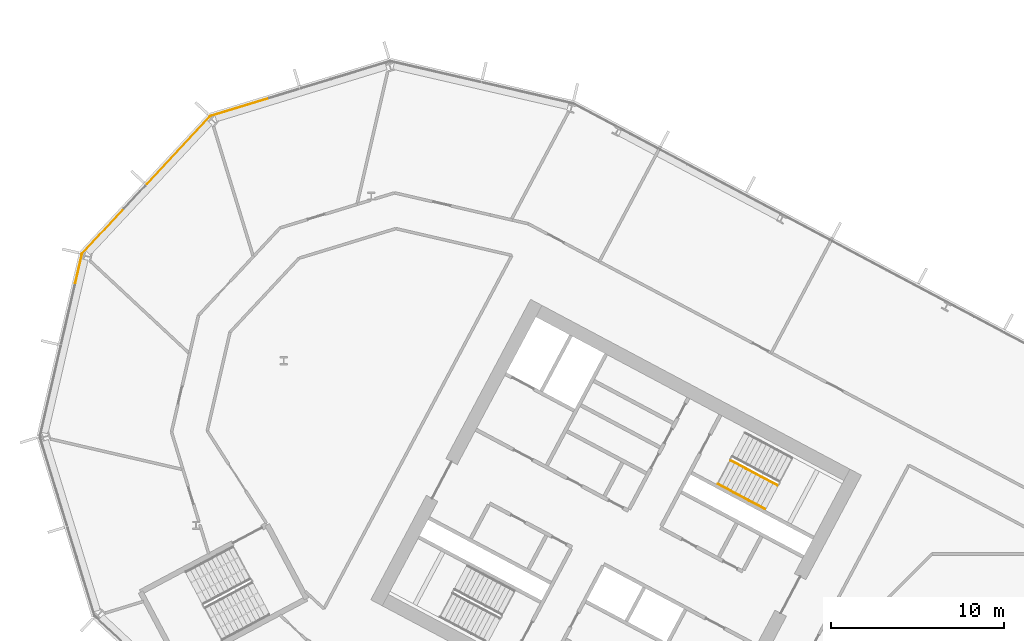
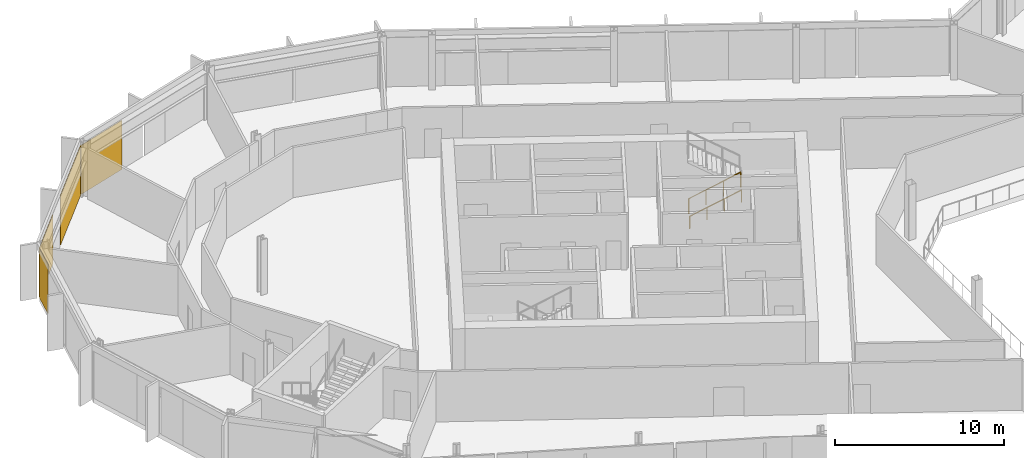
# One storey, part 22 of 28: 4 coverings, 2 railings, 3 elements without a shape of their own.
"""IFC4 building model written with IfcOpenShell, lengths in metres."""

from ifc_helpers import new_model, si_unit, direction, frame, origin, origin_2d, place, context, subcontext, project, spatial, polyline, rectangle, outline, extrude, material, layer, layer_set, type_object, element, aggregate, save


model = new_model("IFC4")

# Units and contexts
model_context = context("Model", 3, precision=1e-05, world=origin(), true_north=direction((0.0, 1.0)))
body_context = subcontext(model_context, "Body", "Model", "MODEL_VIEW")
ifc_project = project(units=[si_unit("LENGTHUNIT", "METRE"), si_unit("AREAUNIT", "SQUARE_METRE"), si_unit("VOLUMEUNIT", "CUBIC_METRE"), si_unit("PLANEANGLEUNIT", "RADIAN"), si_unit("MASSUNIT", "GRAM", prefix="KILO")], contexts=[model_context])

# Site, building, storey
site_placement = place(None, origin())
site = spatial("IfcSite", under=ifc_project, at=site_placement, CompositionType="ELEMENT")
building_placement = place(site_placement, origin())
building = spatial("IfcBuilding", under=site, at=building_placement, Name="Cormorant Relay Tower", CompositionType="ELEMENT")
storey_placement = place(building_placement, frame((0.0, 0.0, 170.199951171875)))
storey = spatial("IfcBuildingStorey", under=building, at=storey_placement, Name="L36", CompositionType="ELEMENT", Elevation=170.199951171875)

# Curtain wall, covering
ifc_material_1 = material(Name="Aluminium 6063-T6 anodised bronze", Category="aluminium")
ifc_layer_1 = layer(ifc_material_1, 0.199951171875)
ifc_layer_set_1 = layer_set([ifc_layer_1], Name="CW1 unitised bronze curtain wall with vertical fins")
curtain_wall_type = type_object("IfcCurtainWallType", Name="CW1 unitised bronze curtain wall with vertical fins", PredefinedType="NOTDEFINED", material=ifc_layer_set_1)
curtain_wall_1_placement = place(storey_placement, origin())
curtain_wall_1 = element("IfcCurtainWall", 1, at=curtain_wall_1_placement, inside=storey, type_object=curtain_wall_type, Name="CW1 curtain wall 11", PredefinedType="NOTDEFINED")
ifc_material_2 = material(Name="Pale bronze anodised aluminium insulated panel", Category="aluminium")
ifc_layer_2 = layer(ifc_material_2, 0.0400390625)
ifc_layer_set_2 = layer_set([ifc_layer_2], Name="CW1 pale bronze insulated panel 40")
covering_type = type_object("IfcCoveringType", Name="CW1 pale bronze insulated panel 40", PredefinedType="CLADDING", material=ifc_layer_set_2)
covering_1_placement = place(storey_placement, frame((-49.16455078125, 39.474853515625, 0.0), z_axis=(0.0, 0.0, 1.0), x_axis=(-0.956304755963, -0.292371704723, 0.0)))
covering_1 = element("IfcCovering", 2, at=covering_1_placement, type_object=covering_type, Name="CW1 panel S03", PredefinedType="CLADDING", context=body_context, shape_type="SweptSolid", body=[
    extrude(rectangle(XDim=3.560302734375, YDim=0.0400390625, at=origin_2d()), origin(), (0.0, 0.0, 1.0), 3.550048828125),
])
aggregate(curtain_wall_1, [covering_1])

# Curtain wall, coverings
curtain_wall_2_placement = place(storey_placement, origin())
curtain_wall_2 = element("IfcCurtainWall", 3, at=curtain_wall_2_placement, inside=storey, type_object=curtain_wall_type, Name="CW1 curtain wall 12", PredefinedType="NOTDEFINED")
covering_2_placement = place(storey_placement, frame((-52.72900390625, 36.961181640625, 0.0), z_axis=(0.0, 0.0, 1.0), x_axis=(-0.681998360062, -0.731353701619, 0.0)))
covering_2 = element("IfcCovering", 4, at=covering_2_placement, type_object=covering_type, Name="CW1 panel S00", PredefinedType="CLADDING", context=body_context, shape_type="SweptSolid", body=[
    extrude(rectangle(XDim=5.28515625, YDim=0.0400390625, at=origin_2d()), origin(), (0.0, 0.0, 1.0), 3.550048828125),
])
covering_3_placement = place(storey_placement, frame((-57.0751953125, 32.300537109375, 0.0), z_axis=(0.0, 0.0, 1.0), x_axis=(-0.681998360062, -0.731353701619, 0.0)))
covering_3 = element("IfcCovering", 5, at=covering_3_placement, type_object=covering_type, Name="CW1 panel S02", PredefinedType="CLADDING", context=body_context, shape_type="SweptSolid", body=[
    extrude(rectangle(XDim=3.560302734375, YDim=0.0400390625, at=origin_2d()), origin(), (0.0, 0.0, 1.0), 3.550048828125),
])
aggregate(curtain_wall_2, [covering_2, covering_3])

# Curtain wall, covering
curtain_wall_3_placement = place(storey_placement, origin())
curtain_wall_3 = element("IfcCurtainWall", 6, at=curtain_wall_3_placement, inside=storey, type_object=curtain_wall_type, Name="CW1 curtain wall 13", PredefinedType="NOTDEFINED")
covering_4_placement = place(storey_placement, frame((-58.50048828125, 30.095458984375, 0.0), z_axis=(0.0, 0.0, 1.0), x_axis=(-0.224951054344, -0.974370064785, 0.0)))
covering_4 = element("IfcCovering", 7, at=covering_4_placement, type_object=covering_type, Name="CW1 panel S00", PredefinedType="CLADDING", context=body_context, shape_type="SweptSolid", body=[
    extrude(rectangle(XDim=1.685302734375, YDim=0.0400390625, at=origin_2d()), origin(), (0.0, 0.0, 1.0), 3.550048828125),
])
aggregate(curtain_wall_3, [covering_4])

# Railings
ifc_material_3 = material(Name="Steel ASTM A572 Grade 50 (Fy 345 MPa)", Category="steel")
railing_type_1 = type_object("IfcRailingType", Name="Stair guard 1100", PredefinedType="GUARDRAIL", material=ifc_material_3)
railing_1_placement = place(storey_placement, frame((-20.75048828125, 19.017822265625, 0.166748046875)))
element("IfcRailing", 8, at=railing_1_placement, inside=storey, type_object=railing_type_1, Name="L36 A1 stair guard 1", PredefinedType="GUARDRAIL", context=body_context, shape_type="SweptSolid", body=[
    extrude(outline(polyline([(0.022216796875, 0.00927734375), (0.00927734375, 0.022216796875), (-0.00927734375, 0.022216796875), (-0.022216796875, 0.00927734375), (-0.022216796875, -0.00927734375), (-0.00927734375, -0.022216796875), (0.00927734375, -0.022216796875), (0.022216796875, -0.00927734375), (0.022216796875, 0.00927734375)])), frame((0.0, 0.0, 1.076171875), z_axis=(0.758734504837, -0.403377838015, 0.511476559549), x_axis=(0.469427602063, 0.882970965786, 0.0)), (0.0, 0.0, 1.0), 3.584228515625),
    extrude(outline(polyline([(0.019287109375, 0.008056640625), (0.008056640625, 0.019287109375), (-0.008056640625, 0.019287109375), (-0.019287109375, 0.008056640625), (-0.019287109375, -0.008056640625), (-0.008056640625, -0.019287109375), (0.008056640625, -0.019287109375), (0.019287109375, -0.008056640625), (0.019287109375, 0.008056640625)])), origin(), (0.0, 0.0, 1.0), 1.052001953125),
    extrude(outline(polyline([(0.019287109375, 0.008056640625), (0.008056640625, 0.019287109375), (-0.008056640625, 0.019287109375), (-0.019287109375, 0.008056640625), (-0.019287109375, -0.008056640625), (-0.008056640625, -0.019287109375), (0.008056640625, -0.019287109375), (0.019287109375, -0.008056640625), (0.019287109375, 0.008056640625)])), frame((0.906494140625, -0.48193359375, 0.611083984375)), (0.0, 0.0, 1.0), 1.052001953125),
    extrude(outline(polyline([(0.019287109375, 0.008056640625), (0.008056640625, 0.019287109375), (-0.008056640625, 0.019287109375), (-0.019287109375, 0.008056640625), (-0.019287109375, -0.008056640625), (-0.008056640625, -0.019287109375), (0.008056640625, -0.019287109375), (0.019287109375, -0.008056640625), (0.019287109375, 0.008056640625)])), frame((1.81298828125, -0.9638671875, 1.22216796875)), (0.0, 0.0, 1.0), 1.052001953125),
    extrude(outline(polyline([(0.019287109375, 0.008056640625), (0.008056640625, 0.019287109375), (-0.008056640625, 0.019287109375), (-0.019287109375, 0.008056640625), (-0.019287109375, -0.008056640625), (-0.008056640625, -0.019287109375), (0.008056640625, -0.019287109375), (0.019287109375, -0.008056640625), (0.019287109375, 0.008056640625)])), frame((2.719482421875, -1.44580078125, 1.833251953125)), (0.0, 0.0, 1.0), 1.052001953125),
])
ifc_material_4 = material(Name="Steel ASTM A572 Grade 50 (Fy 345 MPa)", Category="steel")
railing_type_2 = type_object("IfcRailingType", Name="Stair handrail 900", PredefinedType="HANDRAIL", material=ifc_material_4)
railing_2_placement = place(storey_placement, frame((-21.478271484375, 17.6494140625, 0.166748046875)))
element("IfcRailing", 9, at=railing_2_placement, inside=storey, type_object=railing_type_2, Name="L36 A1 stair handrail 1", PredefinedType="HANDRAIL", context=body_context, shape_type="SweptSolid", body=[
    extrude(outline(polyline([(0.022216796875, 0.00927734375), (0.00927734375, 0.022216796875), (-0.00927734375, 0.022216796875), (-0.022216796875, 0.00927734375), (-0.022216796875, -0.00927734375), (-0.00927734375, -0.022216796875), (0.00927734375, -0.022216796875), (0.022216796875, -0.00927734375), (0.022216796875, 0.00927734375)])), frame((0.0, 0.0, 0.8759765625), z_axis=(0.758713656843, -0.403434867536, 0.511462505542), x_axis=(0.469489399267, 0.882938108802, 0.0)), (0.0, 0.0, 1.0), 3.584228515625),
    extrude(outline(polyline([(0.019287109375, 0.008056640625), (0.008056640625, 0.019287109375), (-0.008056640625, 0.019287109375), (-0.019287109375, 0.008056640625), (-0.019287109375, -0.008056640625), (-0.008056640625, -0.019287109375), (0.008056640625, -0.019287109375), (0.019287109375, -0.008056640625), (0.019287109375, 0.008056640625)])), origin(), (0.0, 0.0, 1.0), 0.851806640625),
    extrude(outline(polyline([(0.019287109375, 0.008056640625), (0.008056640625, 0.019287109375), (-0.008056640625, 0.019287109375), (-0.019287109375, 0.008056640625), (-0.019287109375, -0.008056640625), (-0.008056640625, -0.019287109375), (0.008056640625, -0.019287109375), (0.019287109375, -0.008056640625), (0.019287109375, 0.008056640625)])), frame((0.906494140625, -0.48193359375, 0.611083984375)), (0.0, 0.0, 1.0), 0.851806640625),
    extrude(outline(polyline([(0.019287109375, 0.008056640625), (0.008056640625, 0.019287109375), (-0.008056640625, 0.019287109375), (-0.019287109375, 0.008056640625), (-0.019287109375, -0.008056640625), (-0.008056640625, -0.019287109375), (0.008056640625, -0.019287109375), (0.019287109375, -0.008056640625), (0.019287109375, 0.008056640625)])), frame((1.81298828125, -0.964111328125, 1.22216796875)), (0.0, 0.0, 1.0), 0.851806640625),
    extrude(outline(polyline([(0.019287109375, 0.008056640625), (0.008056640625, 0.019287109375), (-0.008056640625, 0.019287109375), (-0.019287109375, 0.008056640625), (-0.019287109375, -0.008056640625), (-0.008056640625, -0.019287109375), (0.008056640625, -0.019287109375), (0.019287109375, -0.008056640625), (0.019287109375, 0.008056640625)])), frame((2.719482421875, -1.446044921875, 1.833251953125)), (0.0, 0.0, 1.0), 0.851806640625),
])

save(model, "model.ifc")
